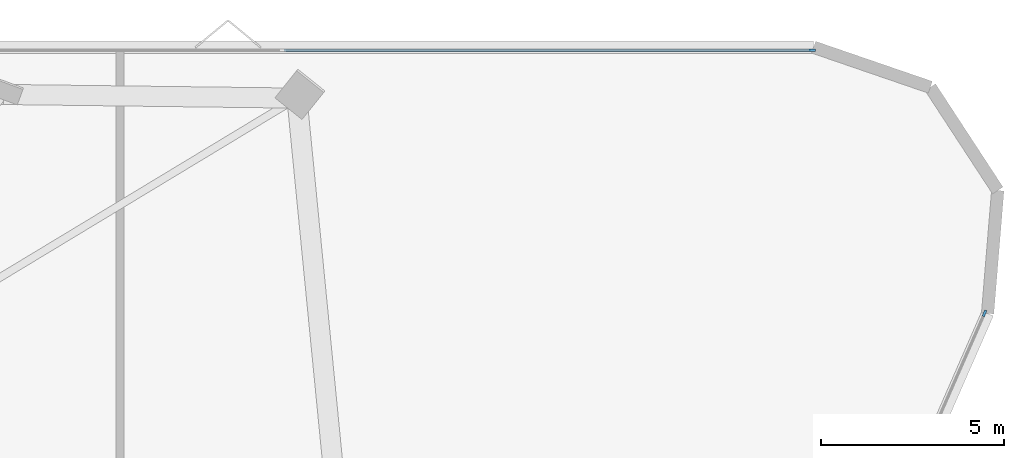
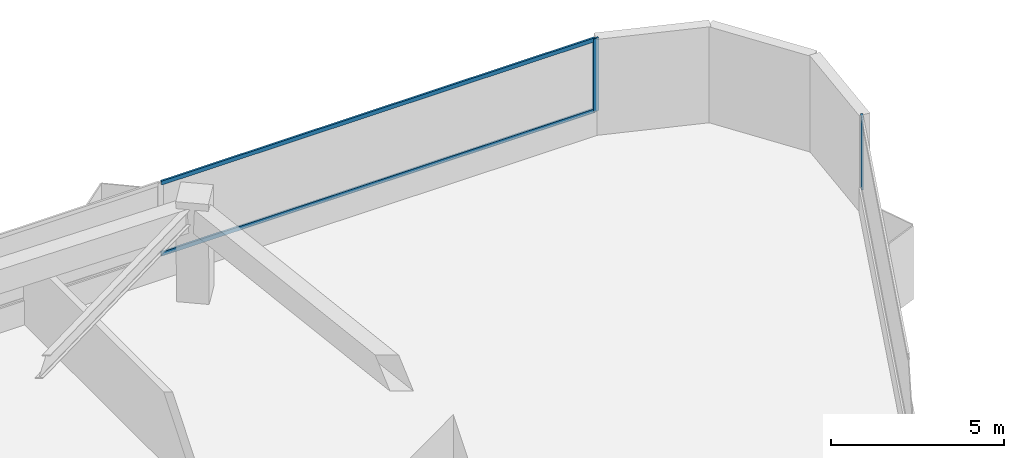
# One storey, part 13 of 20: 4 members, 2 elements without a shape of their own.
"""IFC4 building model written with IfcOpenShell, lengths in metres."""

from ifc_helpers import new_model, si_unit, direction, frame, origin, origin_2d, place, context, subcontext, project, spatial, rectangle, extrude, material, layer, layer_set, material_profile, profile_set, type_object, element, aggregate, save


model = new_model("IFC4")

# Units and contexts
model_context = context("Model", 3, precision=1e-05, world=origin(), true_north=direction((0.0, 1.0)))
body_context = subcontext(model_context, "Body", "Model", "MODEL_VIEW")
ifc_project = project(units=[si_unit("LENGTHUNIT", "METRE"), si_unit("AREAUNIT", "SQUARE_METRE"), si_unit("VOLUMEUNIT", "CUBIC_METRE"), si_unit("PLANEANGLEUNIT", "RADIAN"), si_unit("MASSUNIT", "GRAM", prefix="KILO")], contexts=[model_context])

# Site, building, storey
site_placement = place(None, origin())
site = spatial("IfcSite", under=ifc_project, at=site_placement, CompositionType="ELEMENT")
building_placement = place(site_placement, origin())
building = spatial("IfcBuilding", under=site, at=building_placement, Name="Talyreon Biosciences Tower", CompositionType="ELEMENT")
storey_placement = place(building_placement, frame((0.0, 0.0, 41.050048828125)))
storey = spatial("IfcBuildingStorey", under=building, at=storey_placement, Name="L10", CompositionType="ELEMENT", Elevation=41.050048828125)

# Curtain wall, member
ifc_material_1 = material(Name="Thermally broken aluminium and low-E glazing", Category="aluminium")
ifc_layer = layer(ifc_material_1, 0.195068359375)
ifc_layer_set = layer_set([ifc_layer], Name="Thermally broken aluminium and low-E glazing")
curtain_wall_type = type_object("IfcCurtainWallType", Name="CurtainWall_Zone1WetLab", PredefinedType="NOTDEFINED", material=ifc_layer_set)
curtain_wall_1_placement = place(storey_placement, origin())
curtain_wall_1 = element("IfcCurtainWall", 1, at=curtain_wall_1_placement, inside=storey, type_object=curtain_wall_type, Name="L10 Unitised Curtain Wall FCW-L10-04", PredefinedType="NOTDEFINED")
ifc_material_2 = material(Name="Anodised thermally broken aluminium", Category="aluminium")
ifc_material_profile_1 = material_profile(ifc_material_2, rectangle(XDim=0.06494140625, YDim=0.179931640625, at=origin_2d()), Name="ALUM MULLION 65x180")
ifc_profile_set_1 = profile_set([ifc_material_profile_1], Name="Anodised thermally broken aluminium")
member_type_1 = type_object("IfcMemberType", Name="CWMullion_65x180", PredefinedType="MULLION", material=ifc_profile_set_1)
member_1_placement = place(storey_placement, frame((95.013671875, 92.107421875, 0.81005859375), z_axis=(0.0, 0.0, 1.0), x_axis=(0.0, 1.0, 0.0)))
member_1 = element("IfcMember", 2, at=member_1_placement, type_object=member_type_1, Name="CW2 mullion 5", PredefinedType="MULLION", context=body_context, shape_type="SweptSolid", body=[
    extrude(rectangle(XDim=0.06494140625, YDim=0.179931640625, at=origin_2d()), origin(), (0.0, 0.0, 1.0), 2.56494140625),
])

curtain_wall_2_placement = place(storey_placement, origin())
curtain_wall_2 = element("IfcCurtainWall", 3, at=curtain_wall_2_placement, inside=storey, type_object=curtain_wall_type, Name="L10 Unitised Curtain Wall FCW-L10-08", PredefinedType="NOTDEFINED")
member_2_placement = place(storey_placement, frame((99.722900390625, 84.9033203125, 0.81005859375), z_axis=(0.0, 0.0, 1.0), x_axis=(0.915980408101, -0.401222995321, 0.0)))
member_2 = element("IfcMember", 4, at=member_2_placement, type_object=member_type_1, Name="CW2 mullion 1", PredefinedType="MULLION", context=body_context, shape_type="SweptSolid", body=[
    extrude(rectangle(XDim=0.06494140625, YDim=0.179931640625, at=origin_2d()), origin(), (0.0, 0.0, 1.0), 2.56494140625),
])
aggregate(curtain_wall_2, [member_2])

# Member
ifc_material_profile_2 = material_profile(ifc_material_2, rectangle(XDim=0.06494140625, YDim=0.139892578125, at=origin_2d()), Name="ALUM TRANSOM 65x140")
ifc_profile_set_2 = profile_set([ifc_material_profile_2], Name="Anodised thermally broken aluminium")
member_type_2 = type_object("IfcMemberType", Name="CWTransom_65x140", PredefinedType="USERDEFINED", material=ifc_profile_set_2)
member_3_placement = place(storey_placement, frame((80.5556640625, 92.107421875, 0.842529296875), z_axis=(1.0, 0.0, 0.0), x_axis=(0.0, 1.0, 0.0)))
member_3 = element("IfcMember", 5, at=member_3_placement, type_object=member_type_2, Name="CW2 transom 4.1", ObjectType="TRANSOM", PredefinedType="USERDEFINED", context=body_context, shape_type="SweptSolid", body=[
    extrude(rectangle(XDim=0.06494140625, YDim=0.139892578125, at=origin_2d()), origin(), (0.0, 0.0, 1.0), 14.425537109375),
])

member_4_placement = place(storey_placement, frame((80.5556640625, 92.107421875, 3.342529296875), z_axis=(1.0, 0.0, 0.0), x_axis=(0.0, 1.0, 0.0)))
member_4 = element("IfcMember", 6, at=member_4_placement, type_object=member_type_2, Name="CW2 transom 4.2", ObjectType="TRANSOM", PredefinedType="USERDEFINED", context=body_context, shape_type="SweptSolid", body=[
    extrude(rectangle(XDim=0.06494140625, YDim=0.139892578125, at=origin_2d()), origin(), (0.0, 0.0, 1.0), 14.425537109375),
])

aggregate(curtain_wall_1, [member_1, member_3, member_4])

save(model, "model.ifc")
